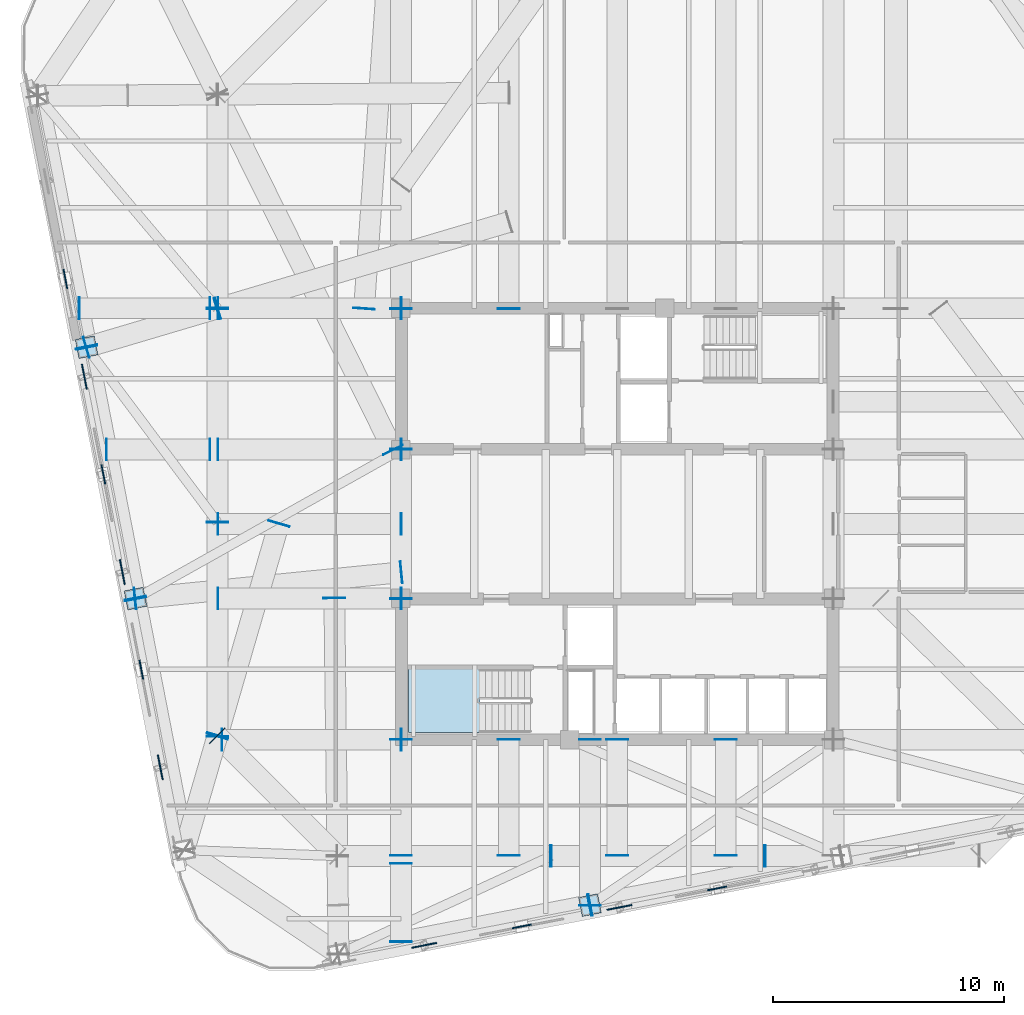
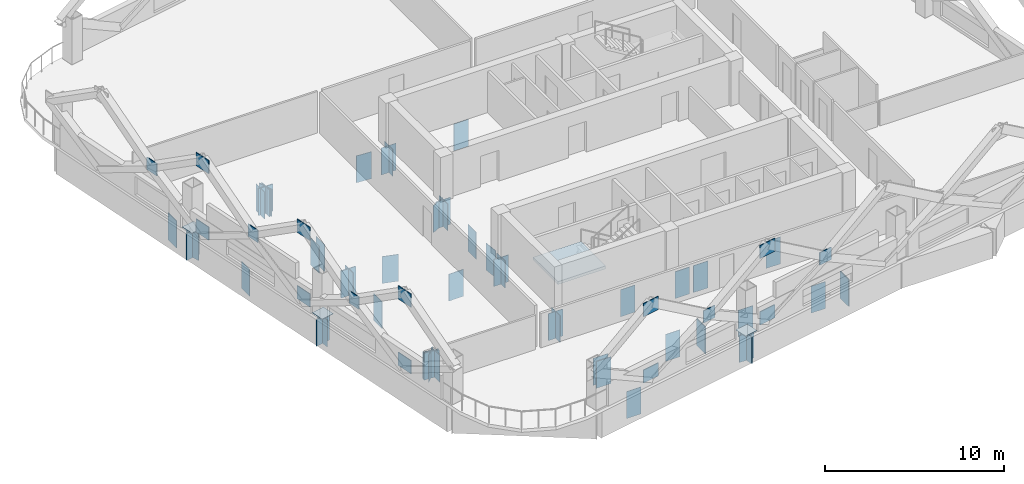
# One storey, part 5 of 14: 75 plates, 1 slab, 1 element without a shape of its own.
"""IFC4 building model written with IfcOpenShell, lengths in metres."""

from ifc_helpers import new_model, si_unit, direction, frame, origin, origin_2d, place, context, subcontext, project, spatial, polyline, rectangle, outline, extrude, material, layer, layer_set, type_object, element, aggregate, save


model = new_model("IFC4")

# Units and contexts
model_context = context("Model", 3, precision=1e-05, world=origin(), true_north=direction((0.0, 1.0)))
body_context = subcontext(model_context, "Body", "Model", "MODEL_VIEW")
ifc_project = project(units=[si_unit("LENGTHUNIT", "METRE"), si_unit("AREAUNIT", "SQUARE_METRE"), si_unit("VOLUMEUNIT", "CUBIC_METRE"), si_unit("PLANEANGLEUNIT", "RADIAN"), si_unit("MASSUNIT", "GRAM", prefix="KILO")], contexts=[model_context])

# Site, building, storey
site_placement = place(None, origin())
site = spatial("IfcSite", under=ifc_project, at=site_placement, CompositionType="ELEMENT")
building_placement = place(site_placement, origin())
building = spatial("IfcBuilding", under=site, at=building_placement, Name="Qhalaya Broadcast Tower", CompositionType="ELEMENT")
storey_placement = place(building_placement, frame((0.0, 0.0, 112.800048828125)))
storey = spatial("IfcBuildingStorey", under=building, at=storey_placement, Name="L32", CompositionType="ELEMENT", Elevation=112.800048828125)

# Plates
ifc_material_1 = material(Name="Structural Steel ASTM A572 Grade 50", Category="steel")
ifc_layer_1 = layer(ifc_material_1, 0.054931640625, Name="Structural Steel ASTM A572 Grade 50")
ifc_layer_set_1 = layer_set([ifc_layer_1], Name="Structural Steel ASTM A572 Grade 50")
plate_type_1 = type_object("IfcPlateType", Name="Exoskeleton Diamond Node Gusset Plate NP-01", PredefinedType="USERDEFINED", material=ifc_layer_set_1)
for number, where, z_axis, x_axis, name in (
    (1, (-8.370361328125, -17.66162109375, 0.2099609375), (0.0, 0.0, 1.0), (0.981627183448, 0.190808995377, 0.0), "Exoskeleton Diamond Node B3-S1-BOT"),
    (2, (-8.370361328125, -17.66162109375, 4.75), (0.0, 0.0, 1.0), (0.981627183448, 0.190808995377, 0.0), "Exoskeleton Diamond Node B3-S1-TOP"),
    (3, (0.09619140625, -16.01611328125, 0.2099609375), (0.0, 0.0, 1.0), (0.981627183448, 0.190808995377, 0.0), "Exoskeleton Diamond Node B3-S2-BOT"),
    (4, (0.09619140625, -16.01611328125, 4.75), (0.0, 0.0, 1.0), (0.981627183448, 0.190808995377, 0.0), "Exoskeleton Diamond Node B3-S2-TOP"),
):
    element("IfcPlate", number, at=place(storey_placement, frame(where, z_axis=z_axis, x_axis=x_axis)), inside=storey, type_object=plate_type_1, Name=name, ObjectType="GUSSET_PLATE", PredefinedType="USERDEFINED", context=body_context, shape_type="SweptSolid", body=[
        extrude(rectangle(XDim=1.10009765625, YDim=0.054931640625, at=origin_2d()), origin(), (0.0, 0.0, 1.0), 0.89990234375),
    ])
for number, where, z_axis, x_axis, name in (
    (5, (-4.13720703125, -16.8388671875, 2.264892578125), (0.0, 0.0, 1.0), (0.981627183448, 0.190808995377, 0.0), "Exoskeleton Diamond Node B3-S2-MDL"),
    (6, (4.32958984375, -15.193115234375, 2.264892578125), (0.0, 0.0, 1.0), (0.981627183448, 0.190808995377, 0.0), "Exoskeleton Diamond Node B3-S3-MDL"),
):
    element("IfcPlate", number, at=place(storey_placement, frame(where, z_axis=z_axis, x_axis=x_axis)), inside=storey, type_object=plate_type_1, Name=name, ObjectType="GUSSET_PLATE", PredefinedType="USERDEFINED", context=body_context, shape_type="SweptSolid", body=[
        extrude(rectangle(XDim=0.85009765625, YDim=0.054931640625, at=origin_2d()), origin(), (0.0, 0.0, 1.0), 0.85009765625),
    ])
for number, where, z_axis, x_axis, name in (
    (7, (-23.095947265625, 6.98388671875, 0.2099609375), (0.0, 0.0, 1.0), (-0.190808995377, 0.981627183448, 0.0), "Exoskeleton Diamond Node B3-W2-BOT"),
    (8, (-23.095947265625, 6.98388671875, 4.75), (0.0, 0.0, 1.0), (-0.190808995377, 0.981627183448, 0.0), "Exoskeleton Diamond Node B3-W2-TOP"),
):
    element("IfcPlate", number, at=place(storey_placement, frame(where, z_axis=z_axis, x_axis=x_axis)), inside=storey, type_object=plate_type_1, Name=name, ObjectType="GUSSET_PLATE", PredefinedType="USERDEFINED", context=body_context, shape_type="SweptSolid", body=[
        extrude(rectangle(XDim=1.10009765625, YDim=0.054931640625, at=origin_2d()), origin(), (0.0, 0.0, 1.0), 0.89990234375),
    ])
plate_1_placement = place(storey_placement, frame((-23.918701171875, 11.217041015625, 2.264892578125), z_axis=(0.0, 0.0, 1.0), x_axis=(-0.190808995377, 0.981627183448, 0.0)))
element("IfcPlate", 9, at=plate_1_placement, inside=storey, type_object=plate_type_1, Name="Exoskeleton Diamond Node B3-W2-MDL", ObjectType="GUSSET_PLATE", PredefinedType="USERDEFINED", context=body_context, shape_type="SweptSolid", body=[
    extrude(rectangle(XDim=0.85009765625, YDim=0.054931640625, at=origin_2d()), origin(), (0.0, 0.0, 1.0), 0.85009765625),
])
for number, where, z_axis, x_axis, name in (
    (10, (-21.4501953125, -1.482666015625, 0.2099609375), (0.0, 0.0, 1.0), (-0.190808995377, 0.981627183448, 0.0), "Exoskeleton Diamond Node B3-W3-BOT"),
    (11, (-21.4501953125, -1.482666015625, 4.75), (0.0, 0.0, 1.0), (-0.190808995377, 0.981627183448, 0.0), "Exoskeleton Diamond Node B3-W3-TOP"),
):
    element("IfcPlate", number, at=place(storey_placement, frame(where, z_axis=z_axis, x_axis=x_axis)), inside=storey, type_object=plate_type_1, Name=name, ObjectType="GUSSET_PLATE", PredefinedType="USERDEFINED", context=body_context, shape_type="SweptSolid", body=[
        extrude(rectangle(XDim=1.10009765625, YDim=0.054931640625, at=origin_2d()), origin(), (0.0, 0.0, 1.0), 0.89990234375),
    ])
plate_2_placement = place(storey_placement, frame((-22.273193359375, 2.75048828125, 2.264892578125), z_axis=(0.0, 0.0, 1.0), x_axis=(-0.190808995377, 0.981627183448, 0.0)))
element("IfcPlate", 12, at=plate_2_placement, inside=storey, type_object=plate_type_1, Name="Exoskeleton Diamond Node B3-W3-MDL", ObjectType="GUSSET_PLATE", PredefinedType="USERDEFINED", context=body_context, shape_type="SweptSolid", body=[
    extrude(rectangle(XDim=0.85009765625, YDim=0.054931640625, at=origin_2d()), origin(), (0.0, 0.0, 1.0), 0.85009765625),
])
for number, where, z_axis, x_axis, name in (
    (13, (-19.804443359375, -9.94921875, 0.2099609375), (0.0, 0.0, 1.0), (-0.190808995377, 0.981627183448, 0.0), "Exoskeleton Diamond Node B3-W4-BOT"),
    (14, (-19.804443359375, -9.94921875, 4.75), (0.0, 0.0, 1.0), (-0.190808995377, 0.981627183448, 0.0), "Exoskeleton Diamond Node B3-W4-TOP"),
):
    element("IfcPlate", number, at=place(storey_placement, frame(where, z_axis=z_axis, x_axis=x_axis)), inside=storey, type_object=plate_type_1, Name=name, ObjectType="GUSSET_PLATE", PredefinedType="USERDEFINED", context=body_context, shape_type="SweptSolid", body=[
        extrude(rectangle(XDim=1.10009765625, YDim=0.054931640625, at=origin_2d()), origin(), (0.0, 0.0, 1.0), 0.89990234375),
    ])
plate_3_placement = place(storey_placement, frame((-20.62744140625, -5.716064453125, 2.264892578125), z_axis=(0.0, 0.0, 1.0), x_axis=(-0.190808995377, 0.981627183448, 0.0)))
element("IfcPlate", 15, at=plate_3_placement, inside=storey, type_object=plate_type_1, Name="Exoskeleton Diamond Node B3-W4-MDL", ObjectType="GUSSET_PLATE", PredefinedType="USERDEFINED", context=body_context, shape_type="SweptSolid", body=[
    extrude(rectangle(XDim=0.85009765625, YDim=0.054931640625, at=origin_2d()), origin(), (0.0, 0.0, 1.0), 0.85009765625),
])
ifc_layer_2 = layer(ifc_material_1, 0.4599609375, Name="Structural Steel ASTM A572 Grade 50")
ifc_layer_set_2 = layer_set([ifc_layer_2], Name="Structural Steel ASTM A572 Grade 50")
plate_type_2 = type_object("IfcPlateType", Name="Hollow Box Member End Cap Plate CP-01", PredefinedType="USERDEFINED", material=ifc_layer_set_2)
for number, where, z_axis, x_axis, name in (
    (16, (-1.167724609375, -15.915283203125, -2.0400390625), (0.0, 0.0, 1.0), (-0.190808995377, 0.981627183448, 0.0), "L32 Hollow Girder End Cap L32-SPR-01-B"),
    (17, (-1.19921875, -15.92138671875, -2.0400390625), (0.0, 0.0, 1.0), (-0.190808995377, 0.981627183448, 0.0), "L32 Hollow Girder End Cap L32-SPR-02-A"),
    (18, (-22.995361328125, 8.247802734375, -2.0400390625), (0.0, 0.0, 1.0), (0.981627183448, 0.190808995377, 0.0), "L32 Hollow Girder End Cap L32-SPR-13-B"),
    (19, (-23.00146484375, 8.279052734375, -2.0400390625), (0.0, 0.0, 1.0), (0.981627183448, 0.190808995377, 0.0), "L32 Hollow Girder End Cap L32-SPR-14-A"),
    (20, (-20.877197265625, -2.648193359375, -2.0400390625), (0.0, 0.0, 1.0), (0.981627183448, 0.190808995377, 0.0), "L32 Hollow Girder End Cap L32-SPR-14-B"),
    (21, (-20.883544921875, -2.616943359375, -2.0400390625), (0.0, 0.0, 1.0), (0.981627183448, 0.190808995377, 0.0), "L32 Hollow Girder End Cap L32-SPR-15-A"),
    (22, (-2.847412109375, -13.7900390625, -2.0400390625), (0.0, 0.0, 1.0), (0.0, 1.0, 0.0), "L32 Hollow Girder End Cap L32-TGL-01-B"),
    (23, (-2.87939453125, -13.7900390625, -2.0400390625), (0.0, 0.0, 1.0), (0.0, 1.0, 0.0), "L32 Hollow Girder End Cap L32-TGL-02-A"),
    (24, (6.419189453125, -13.7900390625, -2.0400390625), (0.0, 0.0, 1.0), (0.0, 1.0, 0.0), "L32 Hollow Girder End Cap L32-TGL-02-B"),
    (25, (6.38720703125, -13.7900390625, -2.0400390625), (0.0, 0.0, 1.0), (0.0, 1.0, 0.0), "L32 Hollow Girder End Cap L32-TGL-03-A"),
    (26, (-17.330078125, 9.92724609375, -2.0400390625), (0.0, 0.0, 1.0), (1.0, 0.0, 0.0), "L32 Hollow Girder End Cap L32-TGL-13-B"),
    (27, (-17.330078125, 9.959228515625, -2.0400390625), (0.0, 0.0, 1.0), (1.0, 0.0, 0.0), "L32 Hollow Girder End Cap L32-TGL-14-A"),
    (28, (-17.330078125, 0.66064453125, -2.0400390625), (0.0, 0.0, 1.0), (1.0, 0.0, 0.0), "L32 Hollow Girder End Cap L32-TGL-14-B"),
    (29, (-17.330078125, 0.692626953125, -2.0400390625), (0.0, 0.0, 1.0), (1.0, 0.0, 0.0), "L32 Hollow Girder End Cap L32-TGL-15-A"),
    (30, (-17.330078125, -8.60595703125, -2.0400390625), (0.0, 0.0, 1.0), (1.0, 0.0, 0.0), "L32 Hollow Girder End Cap L32-TGL-15-B"),
    (31, (-17.34130859375, -8.57861328125, -2.0400390625), (0.0, 0.0, 1.0), (0.707106781187, 0.707106781187, 0.0), "L32 Hollow Girder End Cap L32-TGL-16-A"),
    (32, (-9.375, 9.93408203125, -2.0400390625), (0.0, 0.0, 1.0), (-1.0, 0.0, 0.0), "L32 Hollow Girder End Cap L32-TGINW-1-A"),
    (33, (0.0, -13.76611328125, -2.0400390625), (0.0, 0.0, 1.0), (-1.0, 0.0, 0.0), "L32 Hollow Girder End Cap L32-TGIMS-1-A"),
    (34, (0.0, -8.73388671875, -2.0400390625), (0.0, 0.0, 1.0), (-1.0, 0.0, 0.0), "L32 Hollow Girder End Cap L32-TGIMS-1-B"),
    (35, (-4.699951171875, 9.93408203125, -2.0400390625), (0.0, 0.0, 1.0), (-1.0, 0.0, 0.0), "L32 Hollow Girder End Cap L32-TGIMNW-1-A"),
    (36, (-4.699951171875, -13.76611328125, -2.0400390625), (0.0, 0.0, 1.0), (-1.0, 0.0, 0.0), "L32 Hollow Girder End Cap L32-TGIMSW-1-A"),
    (37, (-4.699951171875, -8.73388671875, -2.0400390625), (0.0, 0.0, 1.0), (-1.0, 0.0, 0.0), "L32 Hollow Girder End Cap L32-TGIMSW-1-B"),
    (38, (4.699951171875, -13.76611328125, -2.0400390625), (0.0, 0.0, 1.0), (-1.0, 0.0, 0.0), "L32 Hollow Girder End Cap L32-TGIMSE-1-A"),
    (39, (4.699951171875, -8.73388671875, -2.0400390625), (0.0, 0.0, 1.0), (-1.0, 0.0, 0.0), "L32 Hollow Girder End Cap L32-TGIMSE-1-B"),
    (40, (-17.305908203125, 0.60009765625, -2.0400390625), (0.0, 0.0, 1.0), (0.0, 1.0, 0.0), "L32 Hollow Girder End Cap L32-TGIYW-1-A"),
    (41, (-9.35888671875, 0.60009765625, -2.0400390625), (0.0, 0.0, 1.0), (0.0, 1.0, 0.0), "L32 Hollow Girder End Cap L32-TGIYW-1-B"),
    (42, (-9.375, -13.76611328125, -2.0400390625), (0.0, 0.0, 1.0), (-1.0, 0.0, 0.0), "L32 Hollow Girder End Cap L32-TGISW-1-A"),
    (43, (-9.375, -8.73388671875, -2.0400390625), (0.0, 0.0, 1.0), (-1.0, 0.0, 0.0), "L32 Hollow Girder End Cap L32-TGISW-1-B"),
    (44, (-9.375, -2.64111328125, -2.0400390625), (0.0, 0.0, 1.0), (-1.0, 0.0, 0.0), "L32 Hollow Girder End Cap L32-TGIMW-1-A"),
    (45, (-9.375, 3.841064453125, -2.0400390625), (0.0, 0.0, 1.0), (-1.0, 0.0, 0.0), "L32 Hollow Girder End Cap L32-TGIMW-1-B"),
    (46, (-17.12939453125, -8.75, -2.0400390625), (0.0, 0.0, 1.0), (0.0, 1.0, 0.0), "L32 Hollow Girder End Cap L32-TGIY1W-1-A"),
    (47, (-9.35888671875, -8.75, -2.0400390625), (0.0, 0.0, 1.0), (0.0, 1.0, 0.0), "L32 Hollow Girder End Cap L32-TGIY1W-1-B"),
    (48, (-17.305908203125, -2.625, -2.0400390625), (0.0, 0.0, 1.0), (0.0, 1.0, 0.0), "L32 Hollow Girder End Cap L32-TGIY2W-1-A"),
    (49, (-9.35888671875, -2.625, -2.0400390625), (0.0, 0.0, 1.0), (0.0, 1.0, 0.0), "L32 Hollow Girder End Cap L32-TGIY2W-1-B"),
    (50, (-17.305908203125, 3.824951171875, -2.0400390625), (0.0, 0.0, 1.0), (0.0, 1.0, 0.0), "L32 Hollow Girder End Cap L32-TGIY3W-1-A"),
    (51, (-9.35888671875, 3.824951171875, -2.0400390625), (0.0, 0.0, 1.0), (0.0, 1.0, 0.0), "L32 Hollow Girder End Cap L32-TGIY3W-1-B"),
    (52, (-17.305908203125, 9.949951171875, -2.0400390625), (0.0, 0.0, 1.0), (0.0, 1.0, 0.0), "L32 Hollow Girder End Cap L32-TGIY4W-1-A"),
    (53, (-9.35888671875, 9.949951171875, -2.0400390625), (0.0, 0.0, 1.0), (0.0, 1.0, 0.0), "L32 Hollow Girder End Cap L32-TGIY4W-1-B"),
    (54, (-12.262939453125, -2.60888671875, -2.0400390625), (0.0, 0.0, 1.0), (0.999929365992, 0.01188541236, 0.0), "L32 Hollow Girder End Cap L32-TGA-01-A"),
    (55, (-1.183349609375, -8.73388671875, -2.0400390625), (0.0, 0.0, 1.0), (1.0, 0.0, 0.0), "L32 Hollow Girder End Cap L32-TGA-02-A"),
    (56, (-1.183349609375, -15.934326171875, -2.0400390625), (0.0, 0.0, 1.0), (1.0, 0.0, 0.0), "L32 Hollow Girder End Cap L32-TGA-02-B"),
    (57, (-10.974853515625, 9.93408203125, -2.0400390625), (0.0, 0.0, 1.0), (-0.997557959061, 0.069843527364, 0.0), "L32 Hollow Girder End Cap L32-TGA-11-A"),
    (58, (-9.71728515625, 3.810791015625, -2.0400390625), (0.0, 0.0, 1.0), (-0.896447761714, -0.443149422337, 0.0), "L32 Hollow Girder End Cap L32-TGA-12-A"),
    (59, (-17.34521484375, 9.938720703125, -2.0400390625), (0.0, 0.0, 1.0), (0.284149218425, -0.958780069499, 0.0), "L32 Hollow Girder End Cap L32-TGA-14-B"),
    (60, (-17.314697265625, 9.94775390625, -2.0400390625), (0.0, 0.0, 1.0), (0.284149218425, -0.958780069499, 0.0), "L32 Hollow Girder End Cap L32-TGC-14-A"),
    (61, (-23.013671875, 8.2587890625, -2.0400390625), (0.0, 0.0, 1.0), (0.284149218425, -0.958780069499, 0.0), "L32 Hollow Girder End Cap L32-TGC-14-B"),
    (62, (-9.359130859375, -1.490966796875, -2.0400390625), (0.0, 0.0, 1.0), (0.098607677542, -0.995126386913, 0.0), "L32 Hollow Girder End Cap L32-TGA-15-A"),
    (63, (-20.896240234375, -2.63427734375, -2.0400390625), (0.0, 0.0, 1.0), (0.098607677542, -0.995126386913, 0.0), "L32 Hollow Girder End Cap L32-TGA-15-B"),
    (64, (-14.66015625, 0.615478515625, -2.0400390625), (0.0, 0.0, 1.0), (0.960420188948, -0.278555309877, 0.0), "L32 Hollow Girder End Cap L32-TGA-16-A"),
    (65, (-17.33447265625, -8.60546875, -2.0400390625), (0.0, 0.0, 1.0), (0.960420188948, -0.278555309877, 0.0), "L32 Hollow Girder End Cap L32-TGA-16-B"),
    (66, (-17.325439453125, -8.57470703125, -2.0400390625), (0.0, 0.0, 1.0), (0.960420188948, -0.278555309877, 0.0), "L32 Hollow Girder End Cap L32-TGC-16-A"),
    (67, (-9.375, -17.506103515625, -2.0400390625), (0.0, 0.0, 1.0), (-1.0, 0.0, 0.0), "L32 Hollow Girder End Cap L32-PGXS1-OV1-A"),
    (68, (-9.375, -14.114013671875, -2.0400390625), (0.0, 0.0, 1.0), (-1.0, 0.0, 0.0), "L32 Hollow Girder End Cap L32-PGXS1-OV1-B"),
    (69, (-22.13134765625, 3.824951171875, -2.0400390625), (0.0, 0.0, 1.0), (0.0, 1.0, 0.0), "L32 Hollow Girder End Cap L32-PGYW3-OV1-A"),
    (70, (-17.654052734375, 3.824951171875, -2.0400390625), (0.0, 0.0, 1.0), (0.0, 1.0, 0.0), "L32 Hollow Girder End Cap L32-PGYW3-OV1-B"),
    (71, (-23.322021484375, 9.949951171875, -2.0400390625), (0.0, 0.0, 1.0), (0.0, 1.0, 0.0), "L32 Hollow Girder End Cap L32-PGYW4-OV1-A"),
    (72, (-17.654052734375, 9.949951171875, -2.0400390625), (0.0, 0.0, 1.0), (0.0, 1.0, 0.0), "L32 Hollow Girder End Cap L32-PGYW4-OV1-B"),
):
    element("IfcPlate", number, at=place(storey_placement, frame(where, z_axis=z_axis, x_axis=x_axis)), inside=storey, type_object=plate_type_2, Name=name, ObjectType="COVER_PLATE", PredefinedType="USERDEFINED", context=body_context, shape_type="SweptSolid", body=[
        extrude(rectangle(XDim=0.93994140625, YDim=0.031982421875, at=origin_2d()), origin(), (0.0, 0.0, 1.0), 1.840087890625),
    ])
for number, where, z_axis, x_axis, name in (
    (73, (-1.183349609375, -15.91845703125, -0.0322265625), (0.0, 0.0, 1.0), (0.981627183448, 0.190808995377, 0.0), "L32 Hollow Box Column Base Cap Plate COL-EX02"),
    (74, (-22.998291015625, 8.263427734375, -0.0322265625), (0.0, 0.0, 1.0), (-0.190808995377, 0.981627183448, 0.0), "L32 Hollow Box Column Base Cap Plate COL-EX14"),
    (75, (-20.88037109375, -2.632568359375, -0.0322265625), (0.0, 0.0, 1.0), (-0.190808995377, 0.981627183448, 0.0), "L32 Hollow Box Column Base Cap Plate COL-EX15"),
):
    element("IfcPlate", number, at=place(storey_placement, frame(where, z_axis=z_axis, x_axis=x_axis)), inside=storey, type_object=plate_type_2, Name=name, ObjectType="COVER_PLATE", PredefinedType="USERDEFINED", context=body_context, shape_type="SweptSolid", body=[
        extrude(rectangle(XDim=0.840087890625, YDim=0.840087890625, at=origin_2d()), origin(), (0.0, 0.0, 1.0), 0.031982421875),
    ])

# Stair, slab
ifc_material_2 = material(Name="Concrete C40/50", Category="concrete")
stair_type = type_object("IfcStairType", Name="Protected Dogleg Core Stair 3150", PredefinedType="TWO_STRAIGHT_RUN_STAIR", material=ifc_material_2)
stair_placement = place(storey_placement, origin())
stair = element("IfcStair", 76, at=stair_placement, inside=storey, type_object=stair_type, Name="L32 South Core Exit Stair ST-2", PredefinedType="TWO_STRAIGHT_RUN_STAIR")
ifc_layer_3 = layer(ifc_material_2, 0.199951171875, Name="Concrete C40/50")
ifc_layer_set_3 = layer_set([ifc_layer_3], Name="Concrete C40/50")
slab_type = type_object("IfcSlabType", Name="Stair & Ramp Half-Landing Slab 200", PredefinedType="LANDING", material=ifc_layer_set_3)
slab_placement = place(storey_placement, frame((0.0, 0.0, 1.324951171875)))
slab = element("IfcSlab", 77, at=slab_placement, type_object=slab_type, Name="ST-2 landing 1", PredefinedType="LANDING", context=body_context, shape_type="SweptSolid", body=[
    extrude(outline(polyline([(-5.955078125, -5.679931640625), (-9.050048828125, -5.679931640625), (-9.050048828125, -8.43994140625), (-5.955078125, -8.43994140625), (-5.955078125, -5.679931640625)])), origin(), (0.0, 0.0, 1.0), 0.199951171875),
])
aggregate(stair, [slab])

save(model, "model.ifc")
